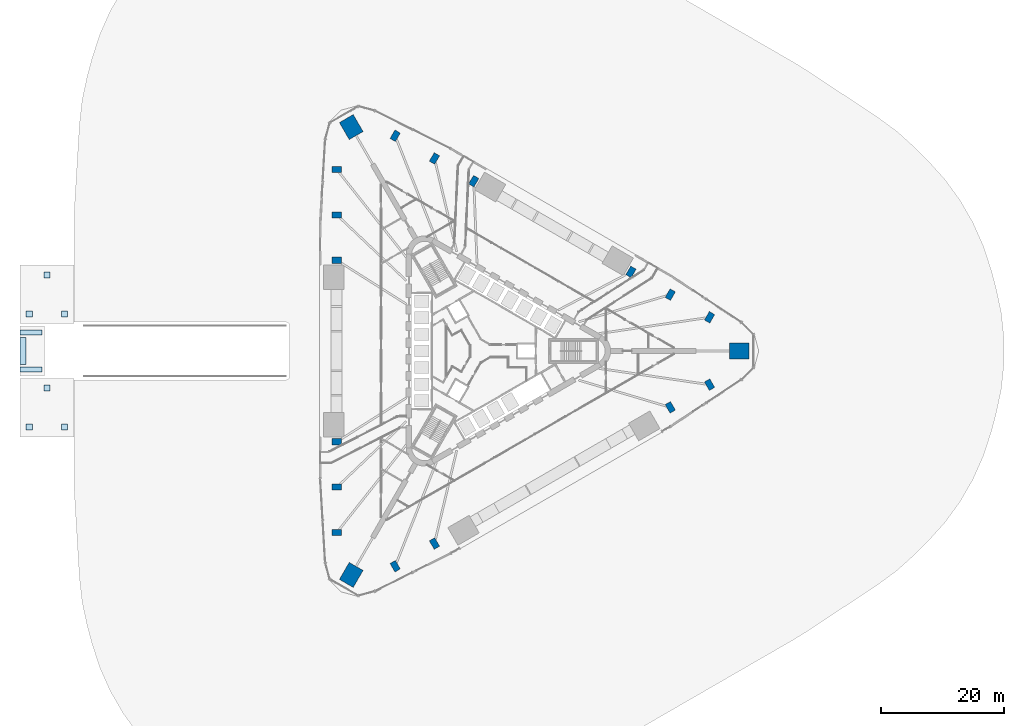
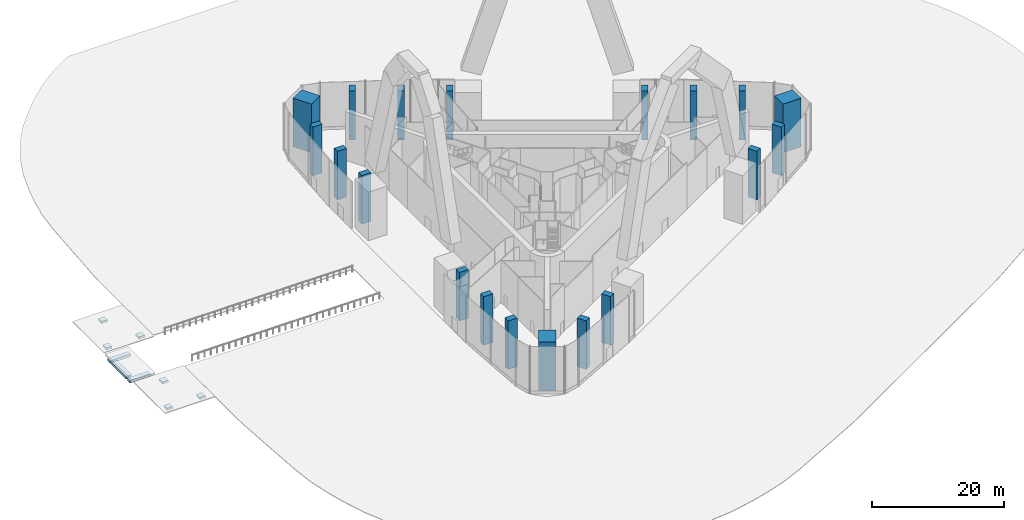
# One storey, part 1 of 22: 19 columns, 9 footings.
"""IFC4 building model written with IfcOpenShell, lengths in metres."""

import ifcopenshell
import ifcopenshell.guid

model = None  # the IFC model being written
_history = None  # IfcOwnerHistory: only IFC2X3 demands one
_inside = {}  # id of a spatial element -> (the spatial element, [elements in it])
_under = {}  # id of a project, library or spatial element -> (it, [spatial elements below it])
_declared = {}  # id of a project -> (the project, [libraries it declares])
_typed = {}  # id of a type object -> (the type object, [elements of that type])
_made_of = {}  # id of a material, layer set ... -> (it, [elements and type objects made of it])


def new_model(schema):
    """Start an empty IFC model of exactly this schema.

    Asked for "IFC4X3", IfcOpenShell would pick the latest addendum, in which some entities
    have other attributes; the version numbers below select the first issue.
    IFC2X3 requires an IfcOwnerHistory on every rooted entity: one is made here for all.
    """
    global model, _history
    if schema == "IFC4X3":
        model = ifcopenshell.file(schema_version=(4, 3, 0, 0))
    else:
        model = ifcopenshell.file(schema=schema)
    _inside.clear()
    _under.clear()
    _declared.clear()
    _typed.clear()
    _made_of.clear()
    _history = None
    if model.schema == "IFC2X3":
        org = make("IfcOrganization", Name="unknown")
        user = make(
            "IfcPersonAndOrganization",
            ThePerson=make("IfcPerson", FamilyName="unknown"),
            TheOrganization=org,
        )
        app = make(
            "IfcApplication",
            ApplicationDeveloper=org,
            Version="unknown",
            ApplicationFullName="unknown",
            ApplicationIdentifier="unknown",
        )
        _history = make(
            "IfcOwnerHistory",
            OwningUser=user,
            OwningApplication=app,
            ChangeAction="ADDED",
            CreationDate=0,
        )
    return model


def make(cls, **values):
    """One entity of the class cls with the attributes given. An attribute that is None is left unset."""
    return model.create_entity(
        cls, **{name: value for name, value in values.items() if value is not None}
    )


def rooted(cls, **values):
    """An entity with a GlobalId (a new one), such as an element, a storey or a relation."""
    return make(cls, GlobalId=ifcopenshell.guid.new(), OwnerHistory=_history, **values)


def si_unit(unit_type, name, prefix=None):
    """IfcSIUnit, for example si_unit("LENGTHUNIT", "METRE", prefix="MILLI")."""
    return make("IfcSIUnit", UnitType=unit_type, Prefix=prefix, Name=name)


def assignment(units):
    """IfcUnitAssignment: the units of a project."""
    return None if units is None else make("IfcUnitAssignment", Units=units)


def point(xyz):
    """IfcCartesianPoint."""
    return None if xyz is None else make("IfcCartesianPoint", Coordinates=xyz)


def direction(xyz):
    """IfcDirection."""
    return None if xyz is None else make("IfcDirection", DirectionRatios=xyz)


def frame(location, z_axis=None, x_axis=None):
    """IfcAxis2Placement3D, a coordinate frame: its origin and axes. An axis left out is left unset."""
    return make(
        "IfcAxis2Placement3D",
        Location=point(location),
        Axis=direction(z_axis),
        RefDirection=direction(x_axis),
    )


def frame_2d(location, x_axis=None):
    """IfcAxis2Placement2D, a coordinate frame in the plane: its origin and x axis."""
    return make(
        "IfcAxis2Placement2D", Location=point(location), RefDirection=direction(x_axis)
    )


def origin():
    """The frame at (0, 0, 0) with its axes left unset."""
    return frame((0.0, 0.0, 0.0))


def origin_2d():
    """The frame at (0, 0) in the plane with its x axis left unset."""
    return frame_2d((0.0, 0.0))


def place(relative_to, where):
    """IfcLocalPlacement: puts the frame where relative to a parent placement (None: the world)."""
    return make(
        "IfcLocalPlacement", PlacementRelTo=relative_to, RelativePlacement=where
    )


def context(
    kind, dimensions, precision=None, world=None, true_north=None, identifier=None
):
    """IfcGeometricRepresentationContext, for example the 3D "Model" context."""
    return make(
        "IfcGeometricRepresentationContext",
        ContextIdentifier=identifier,
        ContextType=kind,
        CoordinateSpaceDimension=dimensions,
        Precision=precision,
        WorldCoordinateSystem=world,
        TrueNorth=true_north,
    )


def subcontext(parent, identifier, kind, view, scale=None):
    """IfcGeometricRepresentationSubContext, for example "Body" below "Model"."""
    return make(
        "IfcGeometricRepresentationSubContext",
        ContextIdentifier=identifier,
        ContextType=kind,
        ParentContext=parent,
        TargetScale=scale,
        TargetView=view,
    )


def project(units=None, contexts=None):
    """IfcProject with its units and contexts."""
    return rooted(
        "IfcProject",
        Name="project",
        RepresentationContexts=contexts,
        UnitsInContext=assignment(units),
    )


def spatial(cls, under=None, at=None, **own):
    """A site, building, storey or space (cls), placed at a placement, below another one or the project."""
    s = rooted(cls, ObjectPlacement=at, **own)
    if under is not None:
        _under.setdefault(under.id(), (under, []))[1].append(s)
    return s


def polyline(points):
    """IfcPolyline through the points."""
    return make("IfcPolyline", Points=[point(p) for p in points])


def profile(cls, at=None, kind="AREA", **sizes):
    """A parametric profile (cls). Its sizes go by their IFC names, for example OverallWidth=200.0."""
    return make(cls, ProfileType=kind, Position=at, **sizes)


def rectangle(**sizes):
    """IfcRectangleProfileDef."""
    return profile("IfcRectangleProfileDef", **sizes)


def outline(outer, holes=None, kind="AREA"):
    """IfcArbitraryClosedProfileDef: a profile drawn as a closed curve; with holes, ...WithVoids."""
    if holes is None:
        return make("IfcArbitraryClosedProfileDef", ProfileType=kind, OuterCurve=outer)
    return make(
        "IfcArbitraryProfileDefWithVoids",
        ProfileType=kind,
        OuterCurve=outer,
        InnerCurves=holes,
    )


def extrude(swept, where, along, depth):
    """IfcExtrudedAreaSolid: the profile swept, set in the frame where, extruded along a direction by depth."""
    return make(
        "IfcExtrudedAreaSolid",
        SweptArea=swept,
        Position=where,
        ExtrudedDirection=direction(along),
        Depth=depth,
    )


def shape(context_of_items, identifier, shape_type, items):
    """IfcShapeRepresentation: the items that make up one representation, for example the "Body"."""
    return make(
        "IfcShapeRepresentation",
        ContextOfItems=context_of_items,
        RepresentationIdentifier=identifier,
        RepresentationType=shape_type,
        Items=items,
    )


def material(Name=None, Category=None):
    """IfcMaterial."""
    return make("IfcMaterial", Name=Name, Category=Category)


def layer(
    of_material, thickness, ventilated=None, Name=None, Category=None, Priority=None
):
    """IfcMaterialLayer: one layer of a wall or slab, of a material (None: an air gap)."""
    return make(
        "IfcMaterialLayer",
        Material=of_material,
        LayerThickness=thickness,
        IsVentilated=ventilated,
        Name=Name,
        Category=Category,
        Priority=Priority,
    )


def layer_set(layers, Name=None):
    """IfcMaterialLayerSet."""
    return make("IfcMaterialLayerSet", MaterialLayers=layers, LayerSetName=Name)


def material_profile(
    of_material, cross_section, Name=None, Category=None, Priority=None
):
    """IfcMaterialProfile: a cross section and its material."""
    return make(
        "IfcMaterialProfile",
        Name=Name,
        Material=of_material,
        Profile=cross_section,
        Priority=Priority,
        Category=Category,
    )


def profile_set(profiles, Name=None, composite=None):
    """IfcMaterialProfileSet."""
    return make(
        "IfcMaterialProfileSet",
        Name=Name,
        MaterialProfiles=profiles,
        CompositeProfile=composite,
    )


def made_of(thing, what):
    """Note that an element or type object is made of a material, layer set ...; save() writes the relation."""
    if what is not None:
        _made_of.setdefault(what.id(), (what, []))[1].append(thing)
    return thing


def type_object(cls, material=None, **own):
    """A type object (cls), such as IfcWallType, which elements share."""
    return made_of(rooted(cls, **own), material)


def element(
    cls,
    number,
    at=None,
    inside=None,
    cuts=None,
    type_object=None,
    material=None,
    context=None,
    identifier="Body",
    shape_type=None,
    held_by="IfcProductDefinitionShape",
    body=None,
    shapes=None,
    **own,
):
    """One element of the class cls, such as IfcWall. Its Tag is "e" and its number.

    at: its placement. inside: the storey or other place that contains it. cuts: it is an
    opening in that element (IfcRelVoidsElement). A single representation is given by context,
    identifier, shape_type and body (its items); several are given by shapes. held_by: the class
    of the entity that holds the representations. save() writes the other relations.
    """
    e = rooted(cls, Tag="e%d" % number, ObjectPlacement=at, **own)
    if body is not None:
        shapes = [shape(context, identifier, shape_type, body)]
    if shapes is not None:
        e.Representation = make(held_by, Representations=shapes)
    if inside is not None:
        _inside.setdefault(inside.id(), (inside, []))[1].append(e)
    if cuts is not None:
        rooted(
            "IfcRelVoidsElement", RelatingBuildingElement=cuts, RelatedOpeningElement=e
        )
    if type_object is not None:
        _typed.setdefault(type_object.id(), (type_object, []))[1].append(e)
    return made_of(e, material)


def aggregate(whole, parts):
    """IfcRelAggregates: a whole, such as a stair, and the parts it consists of."""
    return rooted("IfcRelAggregates", RelatingObject=whole, RelatedObjects=parts)


def save(model, path):
    """Write the relations noted so far, then the file.

    IfcRelAggregates (storeys below a building ...), IfcRelContainedInSpatialStructure (elements
    in a storey), IfcRelDefinesByType, IfcRelAssociatesMaterial and IfcRelDeclares: one each for
    every whole, place, type object, material and project.
    """
    for whole, parts in _under.values():
        aggregate(whole, parts)
    for where, things in _inside.values():
        rooted(
            "IfcRelContainedInSpatialStructure",
            RelatedElements=things,
            RelatingStructure=where,
        )
    for kind, things in _typed.values():
        rooted("IfcRelDefinesByType", RelatedObjects=things, RelatingType=kind)
    for what, things in _made_of.values():
        rooted("IfcRelAssociatesMaterial", RelatedObjects=things, RelatingMaterial=what)
    for by, libraries in _declared.values():
        rooted("IfcRelDeclares", RelatingContext=by, RelatedDefinitions=libraries)
    model.write(path)


model = new_model("IFC4")

# Units and contexts
model_context = context("Model", 3, precision=1e-05, world=origin(), true_north=direction((0.0, 1.0)))
body_context = subcontext(model_context, "Body", "Model", "MODEL_VIEW")
ifc_project = project(units=[si_unit("LENGTHUNIT", "METRE"), si_unit("AREAUNIT", "SQUARE_METRE"), si_unit("VOLUMEUNIT", "CUBIC_METRE"), si_unit("PLANEANGLEUNIT", "RADIAN"), si_unit("MASSUNIT", "GRAM", prefix="KILO")], contexts=[model_context])

# Site, building, storey
site_placement = place(None, origin())
site = spatial("IfcSite", under=ifc_project, at=site_placement, CompositionType="ELEMENT")
building_placement = place(site_placement, origin())
building = spatial("IfcBuilding", under=site, at=building_placement, Name="Tanit Gate Tower", CompositionType="ELEMENT")
storey_placement = place(building_placement, origin())
storey = spatial("IfcBuildingStorey", under=building, at=storey_placement, Name="L00", CompositionType="ELEMENT", Elevation=0.0)

# Footings
ifc_material_1 = material(Name="Concrete C35/45", Category="concrete")
ifc_layer_1 = layer(ifc_material_1, 0.39990234375)
ifc_layer_set_1 = layer_set([ifc_layer_1], Name="PAD FOOTING 1000x1000x400 C35/45")
footing_type_1 = type_object("IfcFootingType", Name="PAD FOOTING 1000x1000x400 C35/45", PredefinedType="PAD_FOOTING", material=ifc_layer_set_1)
footing_1_placement = place(storey_placement, frame((0.0, 0.0, -0.550048828125)))
element("IfcFooting", 1, at=footing_1_placement, inside=storey, type_object=footing_type_1, Name="PAD FOOTING", PredefinedType="PAD_FOOTING", context=body_context, shape_type="SweptSolid", body=[
    extrude(outline(polyline([(-73.98291015625, -12.905029296875), (-72.98291015625, -12.905029296875), (-72.98291015625, -11.905029296875), (-73.98291015625, -11.905029296875), (-73.98291015625, -12.905029296875)])), origin(), (0.0, 0.0, 1.0), 0.400146484375),
])
footing_2_placement = place(storey_placement, frame((0.0, 0.0, -0.550048828125)))
element("IfcFooting", 2, at=footing_2_placement, inside=storey, type_object=footing_type_1, Name="PAD FOOTING", PredefinedType="PAD_FOOTING", context=body_context, shape_type="SweptSolid", body=[
    extrude(outline(polyline([(-68.246826171875, -12.905029296875), (-67.246826171875, -12.905029296875), (-67.246826171875, -11.905029296875), (-68.246826171875, -11.905029296875), (-68.246826171875, -12.905029296875)])), origin(), (0.0, 0.0, 1.0), 0.400146484375),
])
footing_3_placement = place(storey_placement, frame((0.0, 0.0, -0.550048828125)))
element("IfcFooting", 3, at=footing_3_placement, inside=storey, type_object=footing_type_1, Name="PAD FOOTING", PredefinedType="PAD_FOOTING", context=body_context, shape_type="SweptSolid", body=[
    extrude(outline(polyline([(-71.114990234375, -6.544921875), (-70.114990234375, -6.544921875), (-70.114990234375, -5.544921875), (-71.114990234375, -5.544921875), (-71.114990234375, -6.544921875)])), origin(), (0.0, 0.0, 1.0), 0.400146484375),
])
footing_4_placement = place(storey_placement, frame((0.0, 0.0, -0.550048828125)))
element("IfcFooting", 4, at=footing_4_placement, inside=storey, type_object=footing_type_1, Name="PAD FOOTING", PredefinedType="PAD_FOOTING", context=body_context, shape_type="SweptSolid", body=[
    extrude(outline(polyline([(-73.98291015625, 5.544921875), (-72.98291015625, 5.544921875), (-72.98291015625, 6.544921875), (-73.98291015625, 6.544921875), (-73.98291015625, 5.544921875)])), origin(), (0.0, 0.0, 1.0), 0.400146484375),
])
footing_5_placement = place(storey_placement, frame((0.0, 0.0, -0.550048828125)))
element("IfcFooting", 5, at=footing_5_placement, inside=storey, type_object=footing_type_1, Name="PAD FOOTING", PredefinedType="PAD_FOOTING", context=body_context, shape_type="SweptSolid", body=[
    extrude(outline(polyline([(-68.246826171875, 5.544921875), (-67.246826171875, 5.544921875), (-67.246826171875, 6.544921875), (-68.246826171875, 6.544921875), (-68.246826171875, 5.544921875)])), origin(), (0.0, 0.0, 1.0), 0.400146484375),
])
footing_6_placement = place(storey_placement, frame((0.0, 0.0, -0.550048828125)))
element("IfcFooting", 6, at=footing_6_placement, inside=storey, type_object=footing_type_1, Name="PAD FOOTING", PredefinedType="PAD_FOOTING", context=body_context, shape_type="SweptSolid", body=[
    extrude(outline(polyline([(-71.114990234375, 11.905029296875), (-70.114990234375, 11.905029296875), (-70.114990234375, 12.905029296875), (-71.114990234375, 12.905029296875), (-71.114990234375, 11.905029296875)])), origin(), (0.0, 0.0, 1.0), 0.400146484375),
])
ifc_material_2 = material(Name="Concrete C35/45", Category="concrete")
ifc_layer_2 = layer(ifc_material_2, 0.5)
ifc_layer_set_2 = layer_set([ifc_layer_2], Name="STRIP FOOTING APRON BEAM 500 C35/45")
footing_type_2 = type_object("IfcFootingType", Name="STRIP FOOTING APRON BEAM 500 C35/45", PredefinedType="STRIP_FOOTING", material=ifc_layer_set_2)
footing_7_placement = place(storey_placement, frame((0.0, 0.0, -0.89990234375)))
element("IfcFooting", 7, at=footing_7_placement, inside=storey, type_object=footing_type_2, Name="STRIP FOOTING", PredefinedType="STRIP_FOOTING", context=body_context, shape_type="SweptSolid", body=[
    extrude(outline(polyline([(-75.0, 2.60009765625), (-71.39990234375, 2.60009765625), (-71.39990234375, 3.39990234375), (-75.0, 3.39990234375), (-75.0, 2.60009765625)])), origin(), (0.0, 0.0, 1.0), 0.5),
])
footing_8_placement = place(storey_placement, frame((0.0, 0.0, -0.89990234375)))
element("IfcFooting", 8, at=footing_8_placement, inside=storey, type_object=footing_type_2, Name="STRIP FOOTING", PredefinedType="STRIP_FOOTING", context=body_context, shape_type="SweptSolid", body=[
    extrude(outline(polyline([(-75.0, -3.39990234375), (-71.39990234375, -3.39990234375), (-71.39990234375, -2.60009765625), (-75.0, -2.60009765625), (-75.0, -3.39990234375)])), origin(), (0.0, 0.0, 1.0), 0.5),
])
footing_9_placement = place(storey_placement, frame((0.0, 0.0, -0.89990234375)))
element("IfcFooting", 9, at=footing_9_placement, inside=storey, type_object=footing_type_2, Name="STRIP FOOTING", PredefinedType="STRIP_FOOTING", context=body_context, shape_type="SweptSolid", body=[
    extrude(outline(polyline([(-75.0, -2.199951171875), (-74.0, -2.199951171875), (-74.0, 2.199951171875), (-75.0, 2.199951171875), (-75.0, -2.199951171875)])), origin(), (0.0, 0.0, 1.0), 0.5),
])

# Columns
ifc_material_3 = material(Name="Concrete C80/95", Category="concrete")
ifc_material_profile_1 = material_profile(ifc_material_3, rectangle(XDim=3.199951171875, YDim=2.60009765625, at=origin_2d()), Name="RC 3200x2600")
ifc_profile_set_1 = profile_set([ifc_material_profile_1], Name="Concrete C80/95")
column_type_1 = type_object("IfcColumnType", Name="MEGA COLUMN 3200x2600 C80/95", PredefinedType="COLUMN", material=ifc_profile_set_1)
for number, where, z_axis, x_axis, name in (
    (10, (42.111328125, 0.0, 0.0), (0.0, 0.0, 1.0), (1.0, 0.0, 0.0), "MEGA COLUMN"),
    (11, (-21.0556640625, 36.469482421875, 0.0), (0.0, 0.0, 1.0), (-0.5, 0.866025403784, 0.0), "MEGA COLUMN"),
    (12, (-21.0556640625, -36.469482421875, 0.0), (0.0, 0.0, 1.0), (-0.5, -0.866025403784, 0.0), "MEGA COLUMN"),
):
    element("IfcColumn", number, at=place(storey_placement, frame(where, z_axis=z_axis, x_axis=x_axis)), inside=storey, type_object=column_type_1, Name=name, PredefinedType="COLUMN", context=body_context, shape_type="SweptSolid", body=[
        extrude(rectangle(XDim=3.199951171875, YDim=2.60009765625, at=origin_2d()), origin(), (0.0, 0.0, 1.0), 9.0),
    ])
ifc_material_4 = material(Name="Concrete C70/85", Category="concrete")
ifc_material_profile_2 = material_profile(ifc_material_4, rectangle(XDim=1.60009765625, YDim=1.0, at=origin_2d()), Name="RC 1600x1000")
ifc_profile_set_2 = profile_set([ifc_material_profile_2], Name="Concrete C70/85")
column_type_2 = type_object("IfcColumnType", Name="PERIMETER COLUMN 1600x1000 C70/85", PredefinedType="COLUMN", material=ifc_profile_set_2)
for number, where, z_axis, x_axis, name in (
    (13, (-23.4033203125, 29.56591796875, 0.0), (0.0, 0.0, 1.0), (-1.0, 0.0, 0.0), "PERIMETER COLUMN"),
    (14, (-23.4033203125, 22.17431640625, 0.0), (0.0, 0.0, 1.0), (-1.0, 0.0, 0.0), "PERIMETER COLUMN"),
    (15, (-23.4033203125, 14.782958984375, 0.0), (0.0, 0.0, 1.0), (-1.0, 0.0, 0.0), "PERIMETER COLUMN"),
    (16, (-23.4033203125, -14.782958984375, 0.0), (0.0, 0.0, 1.0), (-1.0, 0.0, 0.0), "PERIMETER COLUMN"),
    (17, (-23.4033203125, -22.17431640625, 0.0), (0.0, 0.0, 1.0), (-1.0, 0.0, 0.0), "PERIMETER COLUMN"),
    (18, (-23.4033203125, -29.56591796875, 0.0), (0.0, 0.0, 1.0), (-1.0, 0.0, 0.0), "PERIMETER COLUMN"),
    (19, (37.306396484375, 5.485107421875, 0.0), (0.0, 0.0, 1.0), (0.5, 0.866025403784, 0.0), "PERIMETER COLUMN"),
    (20, (30.9052734375, 9.180908203125, 0.0), (0.0, 0.0, 1.0), (0.5, 0.866025403784, 0.0), "PERIMETER COLUMN"),
    (21, (24.504150390625, 12.87646484375, 0.0), (0.0, 0.0, 1.0), (0.5, 0.866025403784, 0.0), "PERIMETER COLUMN"),
    (22, (-1.1005859375, 27.659423828125, 0.0), (0.0, 0.0, 1.0), (0.5, 0.866025403784, 0.0), "PERIMETER COLUMN"),
    (23, (-7.501708984375, 31.35498046875, 0.0), (0.0, 0.0, 1.0), (0.5, 0.866025403784, 0.0), "PERIMETER COLUMN"),
    (24, (-13.903076171875, 35.05078125, 0.0), (0.0, 0.0, 1.0), (0.5, 0.866025403784, 0.0), "PERIMETER COLUMN"),
    (25, (-13.903076171875, -35.05078125, 0.0), (0.0, 0.0, 1.0), (0.5, -0.866025403784, 0.0), "PERIMETER COLUMN"),
    (26, (-7.501708984375, -31.35498046875, 0.0), (0.0, 0.0, 1.0), (0.5, -0.866025403784, 0.0), "PERIMETER COLUMN"),
    (27, (30.9052734375, -9.180908203125, 0.0), (0.0, 0.0, 1.0), (0.5, -0.866025403784, 0.0), "PERIMETER COLUMN"),
    (28, (37.306396484375, -5.485107421875, 0.0), (0.0, 0.0, 1.0), (0.5, -0.866025403784, 0.0), "PERIMETER COLUMN"),
):
    element("IfcColumn", number, at=place(storey_placement, frame(where, z_axis=z_axis, x_axis=x_axis)), inside=storey, type_object=column_type_2, Name=name, PredefinedType="COLUMN", context=body_context, shape_type="SweptSolid", body=[
        extrude(rectangle(XDim=1.60009765625, YDim=1.0, at=origin_2d()), origin(), (0.0, 0.0, 1.0), 9.0),
    ])

save(model, "model.ifc")
